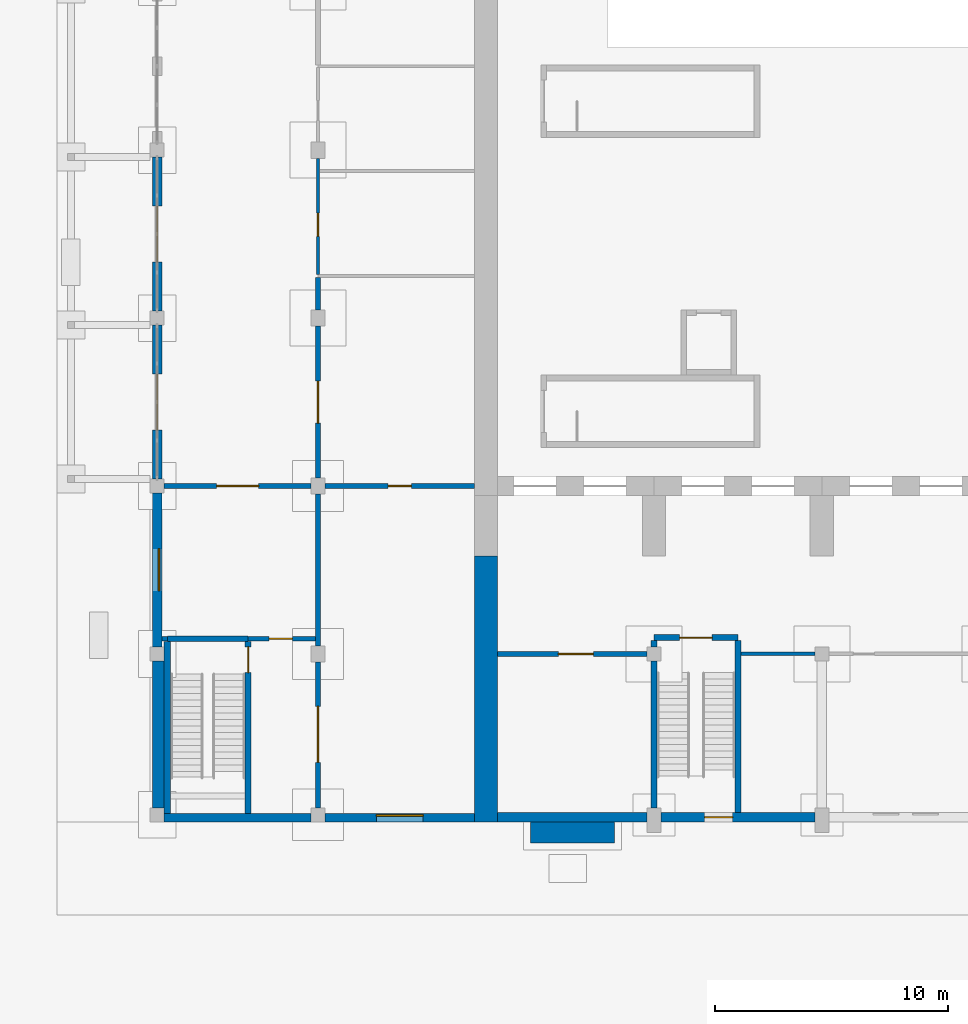
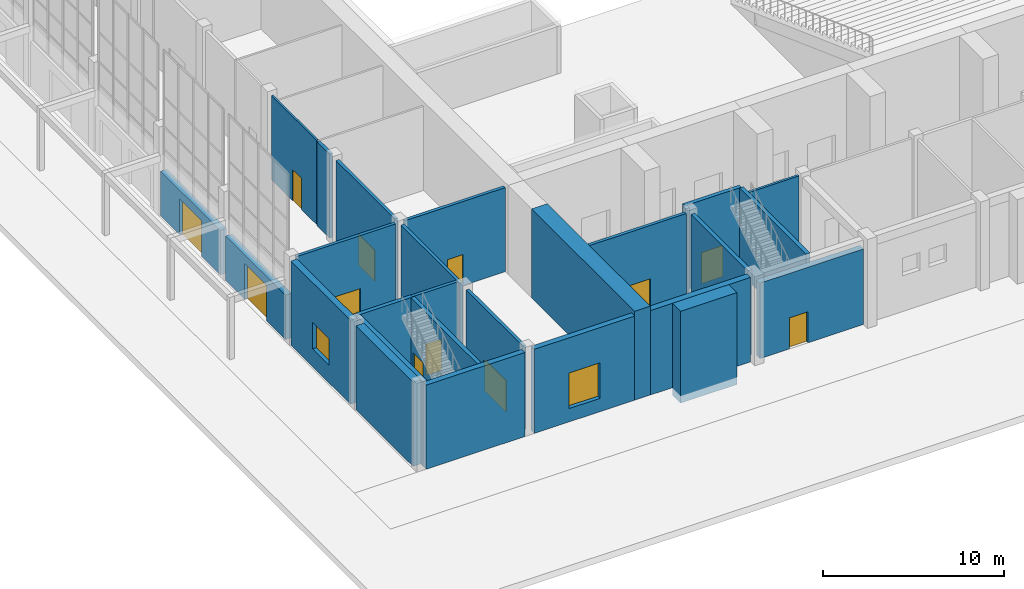
# One storey, part 38 of 70: 28 walls, 12 doors, 2 windows, 14 openings.
"""IFC4 building model written with IfcOpenShell, lengths in metres."""

from ifc_helpers import new_model, si_unit, direction, frame, frame_2d, origin, place, context, subcontext, project, spatial, rectangle, extrude, material, layer, layer_set, type_object, element, fill, save


model = new_model("IFC4")

# Units and contexts
model_context = context("Model", 3, precision=1e-05, world=origin(), true_north=direction((0.0, 1.0)))
body_context = subcontext(model_context, "Body", "Model", "MODEL_VIEW")
ifc_project = project(units=[si_unit("LENGTHUNIT", "METRE"), si_unit("AREAUNIT", "SQUARE_METRE"), si_unit("VOLUMEUNIT", "CUBIC_METRE"), si_unit("PLANEANGLEUNIT", "RADIAN"), si_unit("MASSUNIT", "GRAM", prefix="KILO")], contexts=[model_context])

# Site, building, storey
site_placement = place(None, origin())
site = spatial("IfcSite", under=ifc_project, at=site_placement, CompositionType="ELEMENT")
building_placement = place(site_placement, origin())
building = spatial("IfcBuilding", under=site, at=building_placement, Name="Vermilion Court Aquatics Centre", CompositionType="ELEMENT")
storey_placement = place(building_placement, origin())
storey = spatial("IfcBuildingStorey", under=building, at=storey_placement, Name="L00", CompositionType="ELEMENT", Elevation=0.0)

# Wall
ifc_material_1 = material(Name="Brick masonry", Category="masonry")
ifc_layer_1 = layer(ifc_material_1, 0.35009765625)
ifc_layer_set_1 = layer_set([ifc_layer_1], Name="Foyer brick wall 350")
wall_type_1 = type_object("IfcWallType", Name="Foyer brick wall 350", PredefinedType="SOLIDWALL", material=ifc_layer_set_1)
wall_1_placement = place(storey_placement, frame((0.60009765625, 0.175048828125, 0.0), z_axis=(0.0, 0.0, 1.0), x_axis=(1.0, 0.0, 0.0)))
element("IfcWall", 1, at=wall_1_placement, inside=storey, type_object=wall_type_1, Name="Foyer brick wall", PredefinedType="SOLIDWALL", context=body_context, shape_type="SweptSolid", body=[
    extrude(rectangle(XDim=6.2998046875, YDim=0.35009765625, at=frame_2d((3.14990234375, 0.0))), origin(), (0.0, 0.0, 1.0), 5.675048828125),
])

# Wall, opening, window
wall_2_placement = place(storey_placement, frame((7.5, 0.175048828125, 0.0), z_axis=(0.0, 0.0, 1.0), x_axis=(1.0, 0.0, 0.0)))
wall_2 = element("IfcWall", 2, at=wall_2_placement, inside=storey, type_object=wall_type_1, Name="Foyer brick wall", PredefinedType="SOLIDWALL", context=body_context, shape_type="SweptSolid", body=[
    extrude(rectangle(XDim=6.39990234375, YDim=0.35009765625, at=frame_2d((3.199951171875, 0.0))), origin(), (0.0, 0.0, 1.0), 5.675048828125),
])
opening_1_placement = place(wall_2_placement, frame((2.199951171875, 0.0, 0.89990234375)))
opening_1 = element("IfcOpeningElement", 3, at=opening_1_placement, cuts=wall_2, Name="Opening FWN4", PredefinedType="OPENING", context=body_context, shape_type="SweptSolid", body=[
    extrude(rectangle(XDim=2.0, YDim=2.39990234375, at=frame_2d((1.0, 1.199951171875))), frame((0.0, 0.18505859375, 0.0), z_axis=(0.0, -1.0, 0.0), x_axis=(1.0, 0.0, 0.0)), (0.0, 0.0, 1.0), 0.3701171875),
])
ifc_material_2 = material(Name="Aluminium 6063-T5", Category="aluminium")
window_type_1 = type_object("IfcWindowType", Name="Foyer shop window 2000x2400", PartitioningType="DOUBLE_PANEL_VERTICAL", PredefinedType="WINDOW", material=ifc_material_2)
window_1_placement = place(opening_1_placement, origin())
window_1 = element("IfcWindow", 4, at=window_1_placement, inside=storey, type_object=window_type_1, Name="Foyer shop window", OverallHeight=2.39990234375, OverallWidth=2.0, PartitioningType="DOUBLE_PANEL_VERTICAL", PredefinedType="WINDOW", context=body_context, shape_type="SweptSolid", body=[
    extrude(rectangle(XDim=2.0, YDim=2.39990234375, at=frame_2d((1.0, 1.199951171875))), frame((0.0, 0.135009765625, 0.0), z_axis=(0.0, -1.0, 0.0), x_axis=(1.0, 0.0, 0.0)), (0.0, 0.0, 1.0), 0.06005859375),
])
fill(opening_1, window_1)

ifc_material_3 = material(Name="Brick masonry", Category="masonry")
ifc_layer_2 = layer(ifc_material_3, 0.39990234375)
ifc_layer_set_2 = layer_set([ifc_layer_2], Name="Foyer brick wall 400")
wall_type_2 = type_object("IfcWallType", Name="Foyer brick wall 400", PredefinedType="SOLIDWALL", material=ifc_layer_set_2)
wall_3_placement = place(storey_placement, frame((0.300048828125, 7.5, 0.0), z_axis=(0.0, 0.0, 1.0), x_axis=(0.0, 1.0, 0.0)))
wall_3 = element("IfcWall", 5, at=wall_3_placement, inside=storey, type_object=wall_type_2, Name="Foyer brick wall", PredefinedType="SOLIDWALL", context=body_context, shape_type="SweptSolid", body=[
    extrude(rectangle(XDim=6.60009765625, YDim=0.39990234375, at=frame_2d((3.300048828125, 0.0))), origin(), (0.0, 0.0, 1.0), 5.675048828125),
])
opening_2_placement = place(wall_3_placement, frame((2.39990234375, 0.0, 1.199951171875)))
opening_2 = element("IfcOpeningElement", 6, at=opening_2_placement, cuts=wall_3, Name="Opening FWN2", PredefinedType="OPENING", context=body_context, shape_type="SweptSolid", body=[
    extrude(rectangle(XDim=1.800048828125, YDim=1.800048828125, at=frame_2d((0.89990234375, 0.89990234375))), frame((0.0, 0.2099609375, 0.0), z_axis=(0.0, -1.0, 0.0), x_axis=(1.0, 0.0, 0.0)), (0.0, 0.0, 1.0), 0.419921875),
])
ifc_material_4 = material(Name="Aluminium 6063-T5", Category="aluminium")
window_type_2 = type_object("IfcWindowType", Name="Foyer window 1800x1800", PartitioningType="DOUBLE_PANEL_VERTICAL", PredefinedType="WINDOW", material=ifc_material_4)
window_2_placement = place(opening_2_placement, origin())
window_2 = element("IfcWindow", 7, at=window_2_placement, inside=storey, type_object=window_type_2, Name="Foyer window", OverallHeight=1.800048828125, OverallWidth=1.800048828125, PartitioningType="DOUBLE_PANEL_VERTICAL", PredefinedType="WINDOW", context=body_context, shape_type="SweptSolid", body=[
    extrude(rectangle(XDim=1.800048828125, YDim=1.800048828125, at=frame_2d((0.89990234375, 0.89990234375))), frame((0.0, -0.050048828125, 0.0), z_axis=(0.0, -1.0, 0.0), x_axis=(1.0, 0.0, 0.0)), (0.0, 0.0, 1.0), 0.06005859375),
])
fill(opening_2, window_2)

# Wall, opening, door
wall_4_placement = place(storey_placement, frame((0.300048828125, 14.699951171875, 0.0), z_axis=(0.0, 0.0, 1.0), x_axis=(0.0, 1.0, 0.0)))
wall_4 = element("IfcWall", 8, at=wall_4_placement, inside=storey, type_object=wall_type_2, Name="Foyer brick base wall", PredefinedType="SOLIDWALL", context=body_context, shape_type="SweptSolid", body=[
    extrude(rectangle(XDim=6.60009765625, YDim=0.39990234375, at=frame_2d((3.300048828125, 0.0))), origin(), (0.0, 0.0, 1.0), 3.0),
])
opening_3_placement = place(wall_4_placement, frame((2.10009765625, 0.0, 0.0)))
opening_3 = element("IfcOpeningElement", 9, at=opening_3_placement, cuts=wall_4, Name="Opening F00-001", PredefinedType="OPENING", context=body_context, shape_type="SweptSolid", body=[
    extrude(rectangle(XDim=2.39990234375, YDim=2.39990234375, at=frame_2d((1.199951171875, 1.199951171875))), frame((0.0, 0.2099609375, 0.0), z_axis=(0.0, -1.0, 0.0), x_axis=(1.0, 0.0, 0.0)), (0.0, 0.0, 1.0), 0.419921875),
])
ifc_material_5 = material(Name="Hollow metal", Category="metal")
door_type_1 = type_object("IfcDoorType", Name="Foyer entrance door 2400x2400", OperationType="DOUBLE_DOOR_SINGLE_SWING", PredefinedType="DOOR", material=ifc_material_5)
door_1_placement = place(opening_3_placement, origin())
door_1 = element("IfcDoor", 10, at=door_1_placement, inside=storey, type_object=door_type_1, Name="Foyer entrance door", OperationType="DOUBLE_DOOR_SINGLE_SWING", OverallHeight=2.39990234375, OverallWidth=2.39990234375, PredefinedType="DOOR", context=body_context, shape_type="SweptSolid", body=[
    extrude(rectangle(XDim=2.39990234375, YDim=2.39990234375, at=frame_2d((1.199951171875, 1.199951171875))), frame((0.0, 0.02490234375, 0.0), z_axis=(0.0, -1.0, 0.0), x_axis=(1.0, 0.0, 0.0)), (0.0, 0.0, 1.0), 0.050048828125),
])
fill(opening_3, door_1)

wall_5_placement = place(storey_placement, frame((0.300048828125, 21.89990234375, 0.0), z_axis=(0.0, 0.0, 1.0), x_axis=(0.0, 1.0, 0.0)))
wall_5 = element("IfcWall", 11, at=wall_5_placement, inside=storey, type_object=wall_type_2, Name="Foyer brick base wall", PredefinedType="SOLIDWALL", context=body_context, shape_type="SweptSolid", body=[
    extrude(rectangle(XDim=6.60009765625, YDim=0.39990234375, at=frame_2d((3.300048828125, 0.0))), origin(), (0.0, 0.0, 1.0), 3.0),
])
opening_4_placement = place(wall_5_placement, frame((2.10009765625, 0.0, 0.0)))
opening_4 = element("IfcOpeningElement", 12, at=opening_4_placement, cuts=wall_5, Name="Opening F00-002", PredefinedType="OPENING", context=body_context, shape_type="SweptSolid", body=[
    extrude(rectangle(XDim=2.39990234375, YDim=2.39990234375, at=frame_2d((1.199951171875, 1.199951171875))), frame((0.0, 0.2099609375, 0.0), z_axis=(0.0, -1.0, 0.0), x_axis=(1.0, 0.0, 0.0)), (0.0, 0.0, 1.0), 0.419921875),
])
door_2_placement = place(opening_4_placement, origin())
door_2 = element("IfcDoor", 13, at=door_2_placement, inside=storey, type_object=door_type_1, Name="Foyer entrance door", OperationType="DOUBLE_DOOR_SINGLE_SWING", OverallHeight=2.39990234375, OverallWidth=2.39990234375, PredefinedType="DOOR", context=body_context, shape_type="SweptSolid", body=[
    extrude(rectangle(XDim=2.39990234375, YDim=2.39990234375, at=frame_2d((1.199951171875, 1.199951171875))), frame((0.0, 0.02490234375, 0.0), z_axis=(0.0, -1.0, 0.0), x_axis=(1.0, 0.0, 0.0)), (0.0, 0.0, 1.0), 0.050048828125),
])
fill(opening_4, door_2)

# Walls
ifc_material_6 = material(Name="Brick masonry", Category="masonry")
ifc_layer_3 = layer(ifc_material_6, 0.5)
ifc_layer_set_3 = layer_set([ifc_layer_3], Name="Foyer brick wall 500")
wall_type_3 = type_object("IfcWallType", Name="Foyer brick wall 500", PredefinedType="SOLIDWALL", material=ifc_layer_set_3)
wall_6_placement = place(storey_placement, frame((0.35009765625, 0.60009765625, 0.0), z_axis=(0.0, 0.0, 1.0), x_axis=(0.0, 1.0, 0.0)))
element("IfcWall", 14, at=wall_6_placement, inside=storey, type_object=wall_type_3, Name="Foyer brick wall", PredefinedType="SOLIDWALL", context=body_context, shape_type="SweptSolid", body=[
    extrude(rectangle(XDim=6.2998046875, YDim=0.5, at=frame_2d((3.14990234375, 0.0))), origin(), (0.0, 0.0, 1.0), 5.675048828125),
])
ifc_material_7 = material(Name="Concrete 5000 psi", Category="concrete")
ifc_layer_4 = layer(ifc_material_7, 1.0)
ifc_layer_set_4 = layer_set([ifc_layer_4], Name="Foyer end wall 1000")
wall_type_4 = type_object("IfcWallType", Name="Foyer end wall 1000", PredefinedType="SOLIDWALL", material=ifc_layer_set_4)
wall_7_placement = place(storey_placement, frame((14.39990234375, 0.0, 0.0), z_axis=(0.0, 0.0, 1.0), x_axis=(0.0, 1.0, 0.0)))
element("IfcWall", 15, at=wall_7_placement, inside=storey, type_object=wall_type_4, Name="Foyer end wall", PredefinedType="SOLIDWALL", context=body_context, shape_type="SweptSolid", body=[
    extrude(rectangle(XDim=11.39990234375, YDim=1.0, at=frame_2d((5.699951171875, 0.0))), origin(), (0.0, 0.0, 1.0), 6.0),
])

# Wall, opening, door
ifc_material_8 = material(Name="Gypsum board", Category="gypsum")
ifc_layer_5 = layer(ifc_material_8, 0.1201171875)
ifc_layer_set_5 = layer_set([ifc_layer_5], Name="Foyer light partition 120")
wall_type_5 = type_object("IfcWallType", Name="Foyer light partition 120", PredefinedType="PARTITIONING", material=ifc_layer_set_5)
wall_8_placement = place(storey_placement, frame((7.199951171875, 23.4599609375, 0.0), z_axis=(0.0, 0.0, 1.0), x_axis=(0.0, 1.0, 0.0)))
wall_8 = element("IfcWall", 16, at=wall_8_placement, inside=storey, type_object=wall_type_5, Name="Wall", PredefinedType="PARTITIONING", context=body_context, shape_type="SweptSolid", body=[
    extrude(rectangle(XDim=4.989990234375, YDim=0.1201171875, at=frame_2d((2.4951171875, 0.0))), origin(), (0.0, 0.0, 1.0), 5.675048828125),
])
opening_5_placement = place(wall_8_placement, frame((1.639892578125, 0.0, 0.0)))
opening_5 = element("IfcOpeningElement", 17, at=opening_5_placement, cuts=wall_8, Name="Opening F00-018", PredefinedType="OPENING", context=body_context, shape_type="SweptSolid", body=[
    extrude(rectangle(XDim=1.0, YDim=2.10009765625, at=frame_2d((0.5, 1.050048828125))), frame((0.0, 0.070068359375, 0.0), z_axis=(0.0, -1.0, 0.0), x_axis=(1.0, 0.0, 0.0)), (0.0, 0.0, 1.0), 0.14013671875),
])
ifc_material_9 = material(Name="Timber door leaf", Category="wood")
door_type_2 = type_object("IfcDoorType", Name="Foyer single door 1000", OperationType="NOTDEFINED", PredefinedType="DOOR", material=ifc_material_9)
door_3_placement = place(opening_5_placement, frame((1.0, 0.0, 0.0), z_axis=(0.0, 0.0, 1.0), x_axis=(-1.0, 0.0, 0.0)))
door_3 = element("IfcDoor", 18, at=door_3_placement, inside=storey, type_object=door_type_2, Name="First aid door", OperationType="SINGLE_SWING_RIGHT", OverallHeight=2.10009765625, OverallWidth=1.0, PredefinedType="DOOR", context=body_context, shape_type="SweptSolid", body=[
    extrude(rectangle(XDim=1.0, YDim=2.10009765625, at=frame_2d((0.5, 1.050048828125))), frame((0.0, 0.025146484375, 0.0), z_axis=(0.0, -1.0, 0.0), x_axis=(1.0, 0.0, 0.0)), (0.0, 0.0, 1.0), 0.050048828125),
])
fill(opening_5, door_3)

ifc_material_10 = material(Name="Concrete masonry ASTM C90 Type I", Category="masonry")
ifc_layer_6 = layer(ifc_material_10, 0.199951171875)
ifc_layer_set_6 = layer_set([ifc_layer_6], Name="Foyer partition wall 200")
wall_type_6 = type_object("IfcWallType", Name="Foyer partition wall 200", PredefinedType="PARTITIONING", material=ifc_layer_set_6)
wall_9_placement = place(storey_placement, frame((7.199951171875, 0.60009765625, 0.0), z_axis=(0.0, 0.0, 1.0), x_axis=(0.0, 1.0, 0.0)))
wall_9 = element("IfcWall", 19, at=wall_9_placement, inside=storey, type_object=wall_type_6, Name="Partition wall", PredefinedType="PARTITIONING", context=body_context, shape_type="SweptSolid", body=[
    extrude(rectangle(XDim=6.25, YDim=0.199951171875, at=frame_2d((3.125, 0.0))), origin(), (0.0, 0.0, 1.0), 5.675048828125),
])
opening_6_placement = place(wall_9_placement, frame((1.949951171875, 0.0, 0.0)))
opening_6 = element("IfcOpeningElement", 20, at=opening_6_placement, cuts=wall_9, Name="Opening F00-011", PredefinedType="OPENING", context=body_context, shape_type="SweptSolid", body=[
    extrude(rectangle(XDim=2.39990234375, YDim=2.10009765625, at=frame_2d((1.199951171875, 1.050048828125))), frame((0.0, 0.10986328125, 0.0), z_axis=(0.0, -1.0, 0.0), x_axis=(1.0, 0.0, 0.0)), (0.0, 0.0, 1.0), 0.219970703125),
])
ifc_material_11 = material(Name="Aluminium 6063-T5", Category="aluminium")
door_type_3 = type_object("IfcDoorType", Name="Foyer shop sliding door 2400x2100", OperationType="DOUBLE_DOOR_SLIDING", PredefinedType="DOOR", material=ifc_material_11)
door_4_placement = place(opening_6_placement, origin())
door_4 = element("IfcDoor", 21, at=door_4_placement, inside=storey, type_object=door_type_3, Name="Aquatics shop door", OperationType="DOUBLE_DOOR_SLIDING", OverallHeight=2.10009765625, OverallWidth=2.39990234375, PredefinedType="DOOR", context=body_context, shape_type="SweptSolid", body=[
    extrude(rectangle(XDim=2.39990234375, YDim=2.10009765625, at=frame_2d((1.199951171875, 1.050048828125))), frame((0.0, 0.02490234375, 0.0), z_axis=(0.0, -1.0, 0.0), x_axis=(1.0, 0.0, 0.0)), (0.0, 0.0, 1.0), 0.050048828125),
])
fill(opening_6, door_4)

# Wall
wall_10_placement = place(storey_placement, frame((7.199951171875, 7.550048828125, 0.0), z_axis=(0.0, 0.0, 1.0), x_axis=(0.0, 1.0, 0.0)))
element("IfcWall", 22, at=wall_10_placement, inside=storey, type_object=wall_type_6, Name="Partition wall", PredefinedType="PARTITIONING", context=body_context, shape_type="SweptSolid", body=[
    extrude(rectangle(XDim=6.5, YDim=0.199951171875, at=frame_2d((3.25, 0.0))), origin(), (0.0, 0.0, 1.0), 5.675048828125),
])

# Wall, opening, door
wall_11_placement = place(storey_placement, frame((7.199951171875, 14.75, 0.0), z_axis=(0.0, 0.0, 1.0), x_axis=(0.0, 1.0, 0.0)))
wall_11 = element("IfcWall", 23, at=wall_11_placement, inside=storey, type_object=wall_type_6, Name="Partition wall", PredefinedType="PARTITIONING", context=body_context, shape_type="SweptSolid", body=[
    extrude(rectangle(XDim=6.5, YDim=0.199951171875, at=frame_2d((3.25, 0.0))), origin(), (0.0, 0.0, 1.0), 5.675048828125),
])
opening_7_placement = place(wall_11_placement, frame((2.35009765625, 0.0, 0.0)))
opening_7 = element("IfcOpeningElement", 24, at=opening_7_placement, cuts=wall_11, Name="Opening F00-014", PredefinedType="OPENING", context=body_context, shape_type="SweptSolid", body=[
    extrude(rectangle(XDim=1.800048828125, YDim=2.10009765625, at=frame_2d((0.89990234375, 1.050048828125))), frame((0.0, 0.10986328125, 0.0), z_axis=(0.0, -1.0, 0.0), x_axis=(1.0, 0.0, 0.0)), (0.0, 0.0, 1.0), 0.219970703125),
])
ifc_material_12 = material(Name="Hollow metal", Category="metal")
door_type_4 = type_object("IfcDoorType", Name="Foyer double door 1800", OperationType="DOUBLE_DOOR_SINGLE_SWING", PredefinedType="DOOR", material=ifc_material_12)
door_5_placement = place(opening_7_placement, frame((1.800048828125, 0.0, 0.0), z_axis=(0.0, 0.0, 1.0), x_axis=(-1.0, 0.0, 0.0)))
door_5 = element("IfcDoor", 25, at=door_5_placement, inside=storey, type_object=door_type_4, Name="Ticket hall door", OperationType="DOUBLE_DOOR_SINGLE_SWING", OverallHeight=2.10009765625, OverallWidth=1.800048828125, PredefinedType="DOOR", context=body_context, shape_type="SweptSolid", body=[
    extrude(rectangle(XDim=1.800048828125, YDim=2.10009765625, at=frame_2d((0.900146484375, 1.050048828125))), frame((0.0, 0.025146484375, 0.0), z_axis=(0.0, -1.0, 0.0), x_axis=(1.0, 0.0, 0.0)), (0.0, 0.0, 1.0), 0.050048828125),
])
fill(opening_7, door_5)

# Walls
wall_12_placement = place(storey_placement, frame((7.199951171875, 21.949951171875, 0.0), z_axis=(0.0, 0.0, 1.0), x_axis=(0.0, 1.0, 0.0)))
element("IfcWall", 26, at=wall_12_placement, inside=storey, type_object=wall_type_6, Name="Partition wall", PredefinedType="PARTITIONING", context=body_context, shape_type="SweptSolid", body=[
    extrude(rectangle(XDim=1.39013671875, YDim=0.199951171875, at=frame_2d((0.695068359375, 0.0))), origin(), (0.0, 0.0, 1.0), 5.675048828125),
])
wall_13_placement = place(storey_placement, frame((0.5, 7.85009765625, 0.0), z_axis=(0.0, 0.0, 1.0), x_axis=(1.0, 0.0, 0.0)))
element("IfcWall", 27, at=wall_13_placement, inside=storey, type_object=wall_type_6, Name="Partition wall", PredefinedType="PARTITIONING", context=body_context, shape_type="SweptSolid", body=[
    extrude(rectangle(XDim=0.25, YDim=0.199951171875, at=frame_2d((0.125, 0.0))), origin(), (0.0, 0.0, 1.0), 5.675048828125),
])

# Wall, opening, door
wall_14_placement = place(storey_placement, frame((4.199951171875, 7.85009765625, 0.0), z_axis=(0.0, 0.0, 1.0), x_axis=(1.0, 0.0, 0.0)))
wall_14 = element("IfcWall", 28, at=wall_14_placement, inside=storey, type_object=wall_type_6, Name="Partition wall", PredefinedType="PARTITIONING", context=body_context, shape_type="SweptSolid", body=[
    extrude(rectangle(XDim=2.900146484375, YDim=0.199951171875, at=frame_2d((1.4501953125, 0.0))), origin(), (0.0, 0.0, 1.0), 5.675048828125),
])
opening_8_placement = place(wall_14_placement, frame((0.89990234375, 0.0, 0.0)))
opening_8 = element("IfcOpeningElement", 29, at=opening_8_placement, cuts=wall_14, Name="Opening F00-010", PredefinedType="OPENING", context=body_context, shape_type="SweptSolid", body=[
    extrude(rectangle(XDim=1.0, YDim=2.10009765625, at=frame_2d((0.5, 1.050048828125))), frame((0.0, 0.10986328125, 0.0), z_axis=(0.0, -1.0, 0.0), x_axis=(1.0, 0.0, 0.0)), (0.0, 0.0, 1.0), 0.219970703125),
])
door_6_placement = place(opening_8_placement, origin())
door_6 = element("IfcDoor", 30, at=door_6_placement, inside=storey, type_object=door_type_2, Name="Cloakroom door", OperationType="SINGLE_SWING_RIGHT", OverallHeight=2.10009765625, OverallWidth=1.0, PredefinedType="DOOR", context=body_context, shape_type="SweptSolid", body=[
    extrude(rectangle(XDim=1.0, YDim=2.10009765625, at=frame_2d((0.5, 1.050048828125))), frame((0.0, 0.02490234375, 0.0), z_axis=(0.0, -1.0, 0.0), x_axis=(1.0, 0.0, 0.0)), (0.0, 0.0, 1.0), 0.050048828125),
])
fill(opening_8, door_6)

wall_15_placement = place(storey_placement, frame((0.60009765625, 14.39990234375, 0.0), z_axis=(0.0, 0.0, 1.0), x_axis=(1.0, 0.0, 0.0)))
wall_15 = element("IfcWall", 31, at=wall_15_placement, inside=storey, type_object=wall_type_6, Name="Partition wall", PredefinedType="PARTITIONING", context=body_context, shape_type="SweptSolid", body=[
    extrude(rectangle(XDim=6.2998046875, YDim=0.199951171875, at=frame_2d((3.14990234375, 0.0))), origin(), (0.0, 0.0, 1.0), 5.675048828125),
])
opening_9_placement = place(wall_15_placement, frame((2.25, 0.0, 0.0)))
opening_9 = element("IfcOpeningElement", 32, at=opening_9_placement, cuts=wall_15, Name="Opening F00-012", PredefinedType="OPENING", context=body_context, shape_type="SweptSolid", body=[
    extrude(rectangle(XDim=1.800048828125, YDim=2.10009765625, at=frame_2d((0.89990234375, 1.050048828125))), frame((0.0, 0.10986328125, 0.0), z_axis=(0.0, -1.0, 0.0), x_axis=(1.0, 0.0, 0.0)), (0.0, 0.0, 1.0), 0.219970703125),
])
door_7_placement = place(opening_9_placement, frame((1.800048828125, 0.0, 0.0), z_axis=(0.0, 0.0, 1.0), x_axis=(-1.0, 0.0, 0.0)))
door_7 = element("IfcDoor", 33, at=door_7_placement, inside=storey, type_object=door_type_4, Name="Cloakroom foyer door", OperationType="DOUBLE_DOOR_SINGLE_SWING", OverallHeight=2.10009765625, OverallWidth=1.800048828125, PredefinedType="DOOR", context=body_context, shape_type="SweptSolid", body=[
    extrude(rectangle(XDim=1.800048828125, YDim=2.10009765625, at=frame_2d((0.900146484375, 1.050048828125))), frame((0.0, 0.025146484375, 0.0), z_axis=(0.0, -1.0, 0.0), x_axis=(1.0, 0.0, 0.0)), (0.0, 0.0, 1.0), 0.050048828125),
])
fill(opening_9, door_7)

wall_16_placement = place(storey_placement, frame((7.5, 14.39990234375, 0.0), z_axis=(0.0, 0.0, 1.0), x_axis=(1.0, 0.0, 0.0)))
wall_16 = element("IfcWall", 34, at=wall_16_placement, inside=storey, type_object=wall_type_6, Name="Partition wall", PredefinedType="PARTITIONING", context=body_context, shape_type="SweptSolid", body=[
    extrude(rectangle(XDim=6.39990234375, YDim=0.199951171875, at=frame_2d((3.199951171875, 0.0))), origin(), (0.0, 0.0, 1.0), 5.675048828125),
])
opening_10_placement = place(wall_16_placement, frame((2.699951171875, 0.0, 0.0)))
opening_10 = element("IfcOpeningElement", 35, at=opening_10_placement, cuts=wall_16, Name="Opening F00-013", PredefinedType="OPENING", context=body_context, shape_type="SweptSolid", body=[
    extrude(rectangle(XDim=1.0, YDim=2.10009765625, at=frame_2d((0.5, 1.050048828125))), frame((0.0, 0.10986328125, 0.0), z_axis=(0.0, -1.0, 0.0), x_axis=(1.0, 0.0, 0.0)), (0.0, 0.0, 1.0), 0.219970703125),
])
door_8_placement = place(opening_10_placement, origin())
door_8 = element("IfcDoor", 36, at=door_8_placement, inside=storey, type_object=door_type_2, Name="Aquatics shop east door", OperationType="SINGLE_SWING_RIGHT", OverallHeight=2.10009765625, OverallWidth=1.0, PredefinedType="DOOR", context=body_context, shape_type="SweptSolid", body=[
    extrude(rectangle(XDim=1.0, YDim=2.10009765625, at=frame_2d((0.5, 1.050048828125))), frame((0.0, 0.02490234375, 0.0), z_axis=(0.0, -1.0, 0.0), x_axis=(1.0, 0.0, 0.0)), (0.0, 0.0, 1.0), 0.050048828125),
])
fill(opening_10, door_8)

ifc_material_13 = material(Name="Concrete 5000 psi", Category="concrete")
ifc_layer_7 = layer(ifc_material_13, 0.25)
ifc_layer_set_7 = layer_set([ifc_layer_7], Name="Foyer stair wall 250")
wall_type_7 = type_object("IfcWallType", Name="Foyer stair wall 250", PredefinedType="SOLIDWALL", material=ifc_layer_set_7)
wall_17_placement = place(storey_placement, frame((4.199951171875, 0.35009765625, 0.0), z_axis=(0.0, 0.0, 1.0), x_axis=(0.0, 1.0, 0.0)))
wall_17 = element("IfcWall", 37, at=wall_17_placement, inside=storey, type_object=wall_type_7, Name="Stair enclosure wall", PredefinedType="SOLIDWALL", context=body_context, shape_type="SweptSolid", body=[
    extrude(rectangle(XDim=7.375, YDim=0.25, at=frame_2d((3.6875, 0.0))), origin(), (0.0, 0.0, 1.0), 5.675048828125),
])
opening_11_placement = place(wall_17_placement, frame((6.050048828125, 0.0, 0.0)))
opening_11 = element("IfcOpeningElement", 38, at=opening_11_placement, cuts=wall_17, Name="Opening F00-007", PredefinedType="OPENING", context=body_context, shape_type="SweptSolid", body=[
    extrude(rectangle(XDim=1.10009765625, YDim=2.10009765625, at=frame_2d((0.550048828125, 1.050048828125))), frame((0.0, 0.135009765625, 0.0), z_axis=(0.0, -1.0, 0.0), x_axis=(1.0, 0.0, 0.0)), (0.0, 0.0, 1.0), 0.27001953125),
])
ifc_material_14 = material(Name="Hollow metal", Category="metal")
door_type_5 = type_object("IfcDoorType", Name="Foyer stair door 1100", OperationType="NOTDEFINED", PredefinedType="DOOR", material=ifc_material_14)
door_9_placement = place(opening_11_placement, frame((1.10009765625, 0.0, 0.0), z_axis=(0.0, 0.0, 1.0), x_axis=(-1.0, 0.0, 0.0)))
door_9 = element("IfcDoor", 39, at=door_9_placement, inside=storey, type_object=door_type_5, Name="Exit stair F1 door", OperationType="SINGLE_SWING_LEFT", OverallHeight=2.10009765625, OverallWidth=1.10009765625, PredefinedType="DOOR", context=body_context, shape_type="SweptSolid", body=[
    extrude(rectangle(XDim=1.10009765625, YDim=2.10009765625, at=frame_2d((0.550048828125, 1.050048828125))), frame((0.0, 0.025146484375, 0.0), z_axis=(0.0, -1.0, 0.0), x_axis=(1.0, 0.0, 0.0)), (0.0, 0.0, 1.0), 0.050048828125),
])
fill(opening_11, door_9)

# Walls
wall_18_placement = place(storey_placement, frame((0.75, 7.85009765625, 0.0), z_axis=(0.0, 0.0, 1.0), x_axis=(1.0, 0.0, 0.0)))
element("IfcWall", 40, at=wall_18_placement, inside=storey, type_object=wall_type_7, Name="Stair enclosure wall", PredefinedType="SOLIDWALL", context=body_context, shape_type="SweptSolid", body=[
    extrude(rectangle(XDim=3.449951171875, YDim=0.25, at=frame_2d((1.72509765625, 0.0))), origin(), (0.0, 0.0, 1.0), 5.675048828125),
])
ifc_material_15 = material(Name="Concrete 5000 psi", Category="concrete")
ifc_layer_8 = layer(ifc_material_15, 0.27490234375)
ifc_layer_set_8 = layer_set([ifc_layer_8], Name="Foyer stair west wall 275")
wall_type_8 = type_object("IfcWallType", Name="Foyer stair west wall 275", PredefinedType="SOLIDWALL", material=ifc_layer_set_8)
wall_19_placement = place(storey_placement, frame((0.737548828125, 0.35009765625, 0.0), z_axis=(0.0, 0.0, 1.0), x_axis=(0.0, 1.0, 0.0)))
element("IfcWall", 41, at=wall_19_placement, inside=storey, type_object=wall_type_8, Name="Stair enclosure wall", PredefinedType="SOLIDWALL", context=body_context, shape_type="SweptSolid", body=[
    extrude(rectangle(XDim=7.375, YDim=0.27490234375, at=frame_2d((3.6875, 0.0))), origin(), (0.0, 0.0, 1.0), 5.675048828125),
])
ifc_material_16 = material(Name="Brick masonry", Category="masonry")
ifc_layer_9 = layer(ifc_material_16, 0.89990234375)
ifc_layer_set_9 = layer_set([ifc_layer_9], Name="South bay base wall 900")
wall_type_9 = type_object("IfcWallType", Name="South bay base wall 900", PredefinedType="SOLIDWALL", material=ifc_layer_set_9)
wall_20_placement = place(storey_placement, frame((16.31298828125, -0.449951171875, -0.5), z_axis=(0.0, 0.0, 1.0), x_axis=(1.0, 0.0, 0.0)))
element("IfcWall", 42, at=wall_20_placement, inside=storey, type_object=wall_type_9, Name="South bay base wall", PredefinedType="SOLIDWALL", context=body_context, shape_type="SweptSolid", body=[
    extrude(rectangle(XDim=3.60009765625, YDim=0.89990234375, at=frame_2d((1.800048828125, 0.0))), origin(), (0.0, 0.0, 1.0), 6.199951171875),
])
ifc_material_17 = material(Name="Brick masonry", Category="masonry")
ifc_layer_10 = layer(ifc_material_17, 0.39990234375)
ifc_layer_set_10 = layer_set([ifc_layer_10], Name="South brick facade wall 400")
wall_type_10 = type_object("IfcWallType", Name="South brick facade wall 400", PredefinedType="SOLIDWALL", material=ifc_layer_set_10)
wall_21_placement = place(storey_placement, frame((14.89990234375, 0.199951171875, 0.0), z_axis=(0.0, 0.0, 1.0), x_axis=(1.0, 0.0, 0.0)))
element("IfcWall", 43, at=wall_21_placement, inside=storey, type_object=wall_type_10, Name="Brick facade wall", PredefinedType="SOLIDWALL", context=body_context, shape_type="SweptSolid", body=[
    extrude(rectangle(XDim=6.400146484375, YDim=0.39990234375, at=frame_2d((3.2001953125, 0.0))), origin(), (0.0, 0.0, 1.0), 5.699951171875),
])

# Wall, opening, door
wall_22_placement = place(storey_placement, frame((21.89990234375, 0.199951171875, 0.0), z_axis=(0.0, 0.0, 1.0), x_axis=(1.0, 0.0, 0.0)))
wall_22 = element("IfcWall", 44, at=wall_22_placement, inside=storey, type_object=wall_type_10, Name="Brick facade wall", PredefinedType="SOLIDWALL", context=body_context, shape_type="SweptSolid", body=[
    extrude(rectangle(XDim=6.60009765625, YDim=0.39990234375, at=frame_2d((3.300048828125, 0.0))), origin(), (0.0, 0.0, 1.0), 5.10009765625),
])
opening_12_placement = place(wall_22_placement, frame((1.875, 0.0, 0.0)))
opening_12 = element("IfcOpeningElement", 45, at=opening_12_placement, cuts=wall_22, Name="Opening S00-007", PredefinedType="OPENING", context=body_context, shape_type="SweptSolid", body=[
    extrude(rectangle(XDim=1.199951171875, YDim=2.10009765625, at=frame_2d((0.60009765625, 1.050048828125))), frame((0.0, 0.2099609375, 0.0), z_axis=(0.0, -1.0, 0.0), x_axis=(1.0, 0.0, 0.0)), (0.0, 0.0, 1.0), 0.419921875),
])
ifc_material_18 = material(Name="Hollow metal", Category="metal")
door_type_6 = type_object("IfcDoorType", Name="South stair discharge door 1200", OperationType="SINGLE_SWING_LEFT", PredefinedType="DOOR", material=ifc_material_18)
door_10_placement = place(opening_12_placement, frame((1.199951171875, 0.0, 0.0), z_axis=(0.0, 0.0, 1.0), x_axis=(-1.0, 0.0, 0.0)))
door_10 = element("IfcDoor", 46, at=door_10_placement, inside=storey, type_object=door_type_6, Name="Exit stair S1 street door", OperationType="SINGLE_SWING_LEFT", OverallHeight=2.10009765625, OverallWidth=1.199951171875, PredefinedType="DOOR", context=body_context, shape_type="SweptSolid", body=[
    extrude(rectangle(XDim=1.199951171875, YDim=2.10009765625, at=frame_2d((0.599853515625, 1.050048828125))), frame((0.0, 0.025146484375, 0.0), z_axis=(0.0, -1.0, 0.0), x_axis=(1.0, 0.0, 0.0)), (0.0, 0.0, 1.0), 0.050048828125),
])
fill(opening_12, door_10)

ifc_material_19 = material(Name="Concrete masonry ASTM C90 Type I", Category="masonry")
ifc_layer_11 = layer(ifc_material_19, 0.199951171875)
ifc_layer_set_11 = layer_set([ifc_layer_11], Name="South partition wall 200")
wall_type_11 = type_object("IfcWallType", Name="South partition wall 200", PredefinedType="PARTITIONING", material=ifc_layer_set_11)
wall_23_placement = place(storey_placement, frame((14.89990234375, 7.199951171875, 0.0), z_axis=(0.0, 0.0, 1.0), x_axis=(1.0, 0.0, 0.0)))
wall_23 = element("IfcWall", 47, at=wall_23_placement, inside=storey, type_object=wall_type_11, Name="Partition wall", PredefinedType="PARTITIONING", context=body_context, shape_type="SweptSolid", body=[
    extrude(rectangle(XDim=6.400146484375, YDim=0.199951171875, at=frame_2d((3.2001953125, 0.0))), origin(), (0.0, 0.0, 1.0), 5.699951171875),
])
opening_13_placement = place(wall_23_placement, frame((2.60009765625, 0.0, 0.0)))
opening_13 = element("IfcOpeningElement", 48, at=opening_13_placement, cuts=wall_23, Name="Opening S00-023", PredefinedType="OPENING", context=body_context, shape_type="SweptSolid", body=[
    extrude(rectangle(XDim=1.5, YDim=2.10009765625, at=frame_2d((0.75, 1.050048828125))), frame((0.0, 0.10986328125, 0.0), z_axis=(0.0, -1.0, 0.0), x_axis=(1.0, 0.0, 0.0)), (0.0, 0.0, 1.0), 0.219970703125),
])
ifc_material_20 = material(Name="Timber door leaf", Category="wood")
door_type_7 = type_object("IfcDoorType", Name="South changing room door 1500", OperationType="DOUBLE_DOOR_SINGLE_SWING", PredefinedType="DOOR", material=ifc_material_20)
door_11_placement = place(opening_13_placement, frame((1.5, 0.0, 0.0), z_axis=(0.0, 0.0, 1.0), x_axis=(-1.0, 0.0, 0.0)))
door_11 = element("IfcDoor", 49, at=door_11_placement, inside=storey, type_object=door_type_7, Name="Changing Village - Women door", OperationType="DOUBLE_DOOR_SINGLE_SWING", OverallHeight=2.10009765625, OverallWidth=1.5, PredefinedType="DOOR", context=body_context, shape_type="SweptSolid", body=[
    extrude(rectangle(XDim=1.5, YDim=2.10009765625, at=frame_2d((0.75, 1.050048828125))), frame((0.0, 0.025146484375, 0.0), z_axis=(0.0, -1.0, 0.0), x_axis=(1.0, 0.0, 0.0)), (0.0, 0.0, 1.0), 0.050048828125),
])
fill(opening_13, door_11)

# Walls
ifc_material_21 = material(Name="Concrete 5000 psi", Category="concrete")
ifc_layer_12 = layer(ifc_material_21, 0.25)
ifc_layer_set_12 = layer_set([ifc_layer_12], Name="South stair wall 250")
wall_type_12 = type_object("IfcWallType", Name="South stair wall 250", PredefinedType="SOLIDWALL", material=ifc_layer_set_12)
wall_24_placement = place(storey_placement, frame((21.60009765625, 0.60009765625, 0.0), z_axis=(0.0, 0.0, 1.0), x_axis=(0.0, 1.0, 0.0)))
element("IfcWall", 50, at=wall_24_placement, inside=storey, type_object=wall_type_12, Name="Stair enclosure wall", PredefinedType="SOLIDWALL", context=body_context, shape_type="SweptSolid", body=[
    extrude(rectangle(XDim=6.2998046875, YDim=0.25, at=frame_2d((3.14990234375, 0.0))), origin(), (0.0, 0.0, 1.0), 5.699951171875),
])
wall_25_placement = place(storey_placement, frame((21.60009765625, 7.5, 0.0), z_axis=(0.0, 0.0, 1.0), x_axis=(0.0, 1.0, 0.0)))
element("IfcWall", 51, at=wall_25_placement, inside=storey, type_object=wall_type_12, Name="Stair enclosure wall", PredefinedType="SOLIDWALL", context=body_context, shape_type="SweptSolid", body=[
    extrude(rectangle(XDim=0.27490234375, YDim=0.25, at=frame_2d((0.137451171875, 0.0))), origin(), (0.0, 0.0, 1.0), 5.699951171875),
])
wall_26_placement = place(storey_placement, frame((25.199951171875, 0.39990234375, 0.0), z_axis=(0.0, 0.0, 1.0), x_axis=(0.0, 1.0, 0.0)))
element("IfcWall", 52, at=wall_26_placement, inside=storey, type_object=wall_type_12, Name="Stair enclosure wall", PredefinedType="SOLIDWALL", context=body_context, shape_type="SweptSolid", body=[
    extrude(rectangle(XDim=7.375, YDim=0.25, at=frame_2d((3.6875, 0.0))), origin(), (0.0, 0.0, 1.0), 5.699951171875),
])

# Wall, opening, door
wall_27_placement = place(storey_placement, frame((21.60009765625, 7.89990234375, 0.0), z_axis=(0.0, 0.0, 1.0), x_axis=(1.0, 0.0, 0.0)))
wall_27 = element("IfcWall", 53, at=wall_27_placement, inside=storey, type_object=wall_type_12, Name="Stair enclosure wall", PredefinedType="SOLIDWALL", context=body_context, shape_type="SweptSolid", body=[
    extrude(rectangle(XDim=3.599853515625, YDim=0.25, at=frame_2d((1.7998046875, 0.0))), origin(), (0.0, 0.0, 1.0), 5.699951171875),
])
opening_14_placement = place(wall_27_placement, frame((1.10009765625, 0.0, 0.0)))
opening_14 = element("IfcOpeningElement", 54, at=opening_14_placement, cuts=wall_27, Name="Opening S00-015", PredefinedType="OPENING", context=body_context, shape_type="SweptSolid", body=[
    extrude(rectangle(XDim=1.39990234375, YDim=2.10009765625, at=frame_2d((0.699951171875, 1.050048828125))), frame((0.0, 0.135009765625, 0.0), z_axis=(0.0, -1.0, 0.0), x_axis=(1.0, 0.0, 0.0)), (0.0, 0.0, 1.0), 0.27001953125),
])
ifc_material_22 = material(Name="Hollow metal", Category="metal")
door_type_8 = type_object("IfcDoorType", Name="South stair door 1400", OperationType="DOUBLE_DOOR_SINGLE_SWING", PredefinedType="DOOR", material=ifc_material_22)
door_12_placement = place(opening_14_placement, origin())
door_12 = element("IfcDoor", 55, at=door_12_placement, inside=storey, type_object=door_type_8, Name="Exit stair S1 door", OperationType="DOUBLE_DOOR_SINGLE_SWING", OverallHeight=2.10009765625, OverallWidth=1.39990234375, PredefinedType="DOOR", context=body_context, shape_type="SweptSolid", body=[
    extrude(rectangle(XDim=1.39990234375, YDim=2.10009765625, at=frame_2d((0.699951171875, 1.050048828125))), frame((0.0, 0.02490234375, 0.0), z_axis=(0.0, -1.0, 0.0), x_axis=(1.0, 0.0, 0.0)), (0.0, 0.0, 1.0), 0.050048828125),
])
fill(opening_14, door_12)

# Wall
ifc_material_23 = material(Name="Concrete masonry ASTM C90 Type I", Category="masonry")
ifc_layer_13 = layer(ifc_material_23, 0.14990234375)
ifc_layer_set_13 = layer_set([ifc_layer_13], Name="South wet room partition 150")
wall_type_13 = type_object("IfcWallType", Name="South wet room partition 150", PredefinedType="PARTITIONING", material=ifc_layer_set_13)
wall_28_placement = place(storey_placement, frame((25.324951171875, 7.199951171875, 0.0), z_axis=(0.0, 0.0, 1.0), x_axis=(1.0, 0.0, 0.0)))
element("IfcWall", 56, at=wall_28_placement, inside=storey, type_object=wall_type_13, Name="Wall", PredefinedType="PARTITIONING", context=body_context, shape_type="SweptSolid", body=[
    extrude(rectangle(XDim=3.175048828125, YDim=0.14990234375, at=frame_2d((1.58740234375, 0.0))), origin(), (0.0, 0.0, 1.0), 5.699951171875),
])

save(model, "model.ifc")
